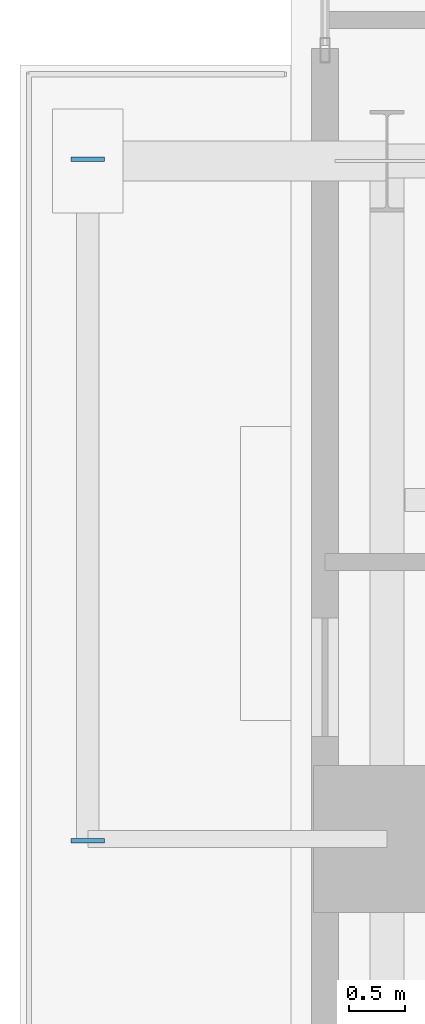
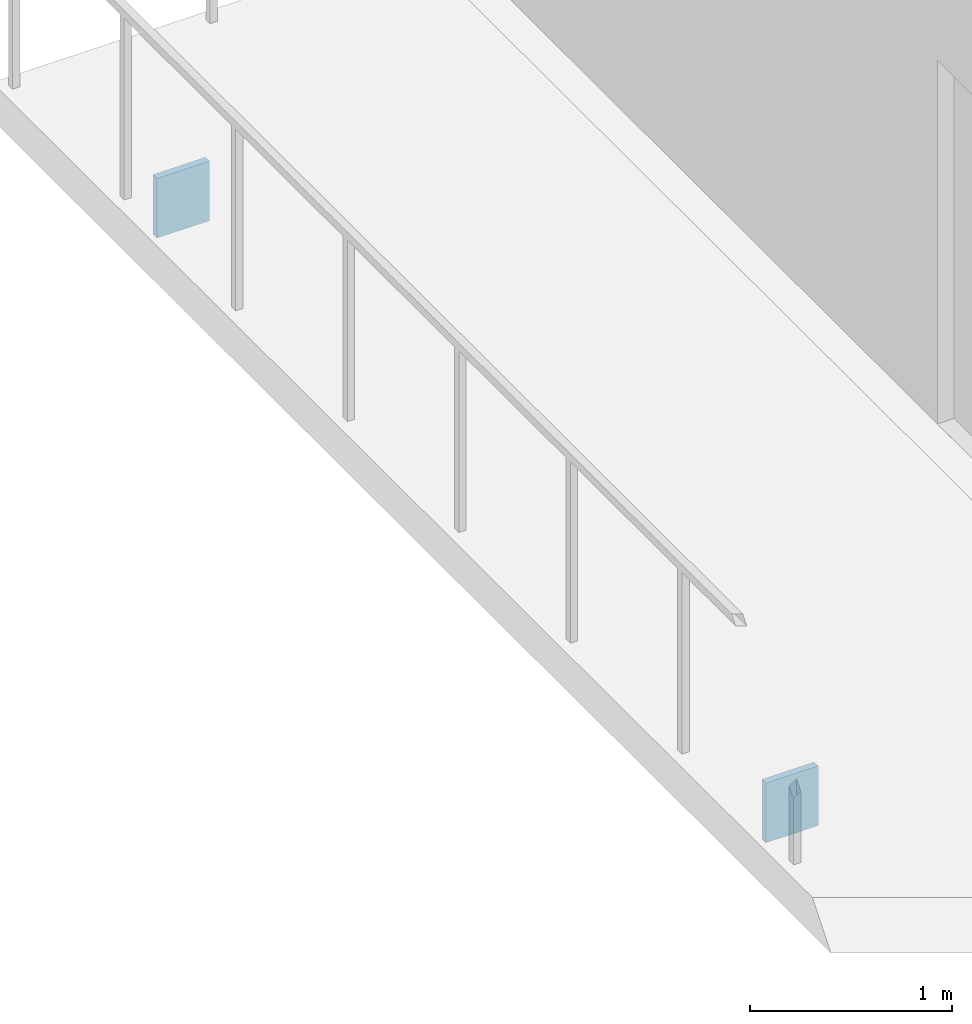
# One storey, part 20 of 27: 2 plates.
"""IFC4 building model written with IfcOpenShell, lengths in metres."""

from ifc_helpers import new_model, si_unit, direction, frame, origin, origin_2d, place, context, subcontext, project, spatial, rectangle, extrude, material, layer, layer_set, type_object, element, save


model = new_model("IFC4")

# Units and contexts
model_context = context("Model", 3, precision=1e-05, world=origin(), true_north=direction((0.0, 1.0)))
body_context = subcontext(model_context, "Body", "Model", "MODEL_VIEW")
ifc_project = project(units=[si_unit("LENGTHUNIT", "METRE"), si_unit("AREAUNIT", "SQUARE_METRE"), si_unit("VOLUMEUNIT", "CUBIC_METRE"), si_unit("PLANEANGLEUNIT", "RADIAN"), si_unit("MASSUNIT", "GRAM", prefix="KILO"), si_unit("THERMODYNAMICTEMPERATUREUNIT", "KELVIN"), si_unit("POWERUNIT", "WATT")], contexts=[model_context])

# Site, building, storey
site_placement = place(None, origin())
site = spatial("IfcSite", under=ifc_project, at=site_placement, CompositionType="ELEMENT")
building_placement = place(site_placement, origin())
building = spatial("IfcBuilding", under=site, at=building_placement, Name="Svarakhadi Broadcast Tower", CompositionType="ELEMENT")
storey_placement = place(building_placement, frame((0.0, 0.0, 55.800048828125)))
storey = spatial("IfcBuildingStorey", under=building, at=storey_placement, Name="L12", CompositionType="ELEMENT", Elevation=55.800048828125)

# Plates
ifc_material = material(Name="Steel S460ML (IS 2062 E450BR)", Category="steel")
ifc_layer = layer(ifc_material, 0.028076171875)
ifc_layer_set = layer_set([ifc_layer], Name="Steel S460ML (IS 2062 E450BR)")
plate_type = type_object("IfcPlateType", Name="Cap_Plate_CP02", PredefinedType="USERDEFINED", material=ifc_layer_set)
for number, where, z_axis, x_axis, name in (
    (1, (-1.800048828125, 35.135009765625, -0.580078125), (0.0, 0.0, 1.0), (1.0, 0.0, 0.0), "L12 Balcony Spandrel End Cap Plate 2F-A"),
    (2, (-1.800048828125, 41.1650390625, -0.580078125), (0.0, 0.0, 1.0), (1.0, 0.0, 0.0), "L12 Balcony Spandrel End Cap Plate 2F-B"),
):
    element("IfcPlate", number, at=place(storey_placement, frame(where, z_axis=z_axis, x_axis=x_axis)), inside=storey, type_object=plate_type, Name=name, ObjectType="FLANGE_PLATE", PredefinedType="USERDEFINED", context=body_context, shape_type="SweptSolid", body=[
        extrude(rectangle(XDim=0.300048828125, YDim=0.0400390625, at=origin_2d()), origin(), (0.0, 0.0, 1.0), 0.360107421875),
    ])

save(model, "model.ifc")
